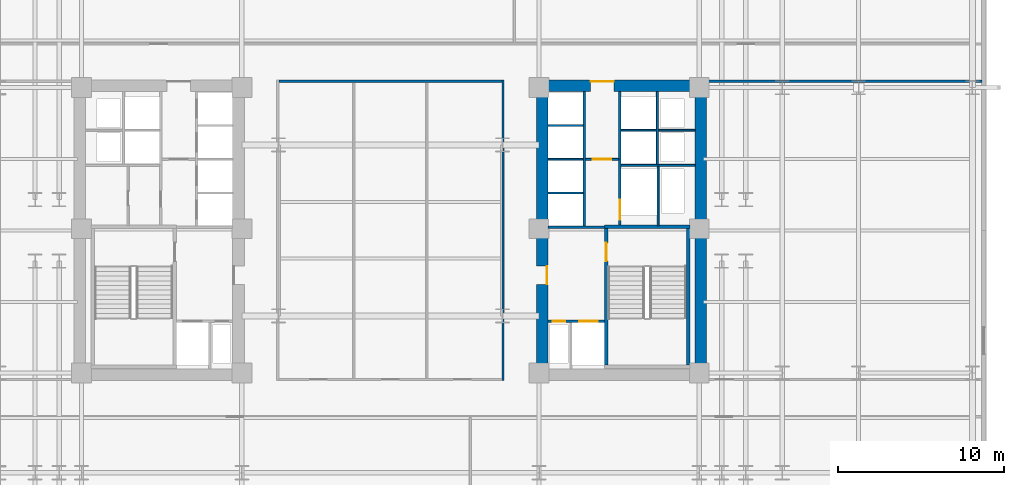
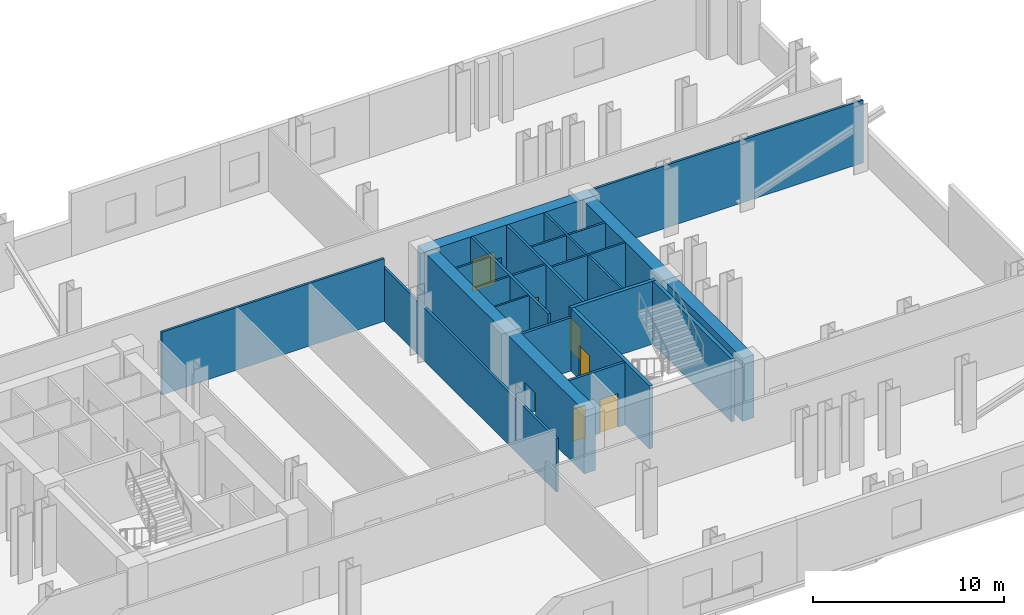
# One storey, part 6 of 9: 22 walls, 7 doors, 7 openings.
"""IFC4 building model written with IfcOpenShell, lengths in metres."""

from ifc_helpers import new_model, si_unit, direction, frame, frame_2d, origin, place, context, subcontext, project, spatial, rectangle, extrude, material, layer, layer_set, type_object, element, fill, save


model = new_model("IFC4")

# Units and contexts
model_context = context("Model", 3, precision=1e-05, world=origin(), true_north=direction((0.0, 1.0)))
body_context = subcontext(model_context, "Body", "Model", "MODEL_VIEW")
ifc_project = project(units=[si_unit("LENGTHUNIT", "METRE"), si_unit("AREAUNIT", "SQUARE_METRE"), si_unit("VOLUMEUNIT", "CUBIC_METRE"), si_unit("PLANEANGLEUNIT", "RADIAN"), si_unit("MASSUNIT", "GRAM", prefix="KILO")], contexts=[model_context])

# Site, building, storey
site_placement = place(None, origin())
site = spatial("IfcSite", under=ifc_project, at=site_placement, CompositionType="ELEMENT")
building_placement = place(site_placement, origin())
building = spatial("IfcBuilding", under=site, at=building_placement, Name="Velakula Bourse", CompositionType="ELEMENT")
storey_placement = place(building_placement, frame((0.0, 0.0, 65.699951171875)))
storey = spatial("IfcBuildingStorey", under=building, at=storey_placement, Name="L17", CompositionType="ELEMENT", Elevation=65.699951171875)

# Wall, opening, door
ifc_material_1 = material(Name="Concrete M50 (fck 50 MPa)", Category="concrete")
ifc_layer_1 = layer(ifc_material_1, 0.2099609375, Name="Concrete M50 (fck 50 MPa)", Category="concrete")
ifc_layer_set_1 = layer_set([ifc_layer_1], Name="Concrete M50 (fck 50 MPa)")
wall_type_1 = type_object("IfcWallType", Name="WL-CORE-210", PredefinedType="SHEAR", material=ifc_layer_set_1)
wall_1_placement = place(storey_placement, frame((12.9951171875, -8.10009765625, 0.0), z_axis=(0.0, 0.0, 1.0), x_axis=(0.0, 1.0, 0.0)))
wall_1 = element("IfcWall", 1, at=wall_1_placement, inside=storey, type_object=wall_type_1, Name="L17 Core E Stairwell Shear Wall IN", PredefinedType="SHEAR", context=body_context, shape_type="SweptSolid", body=[
    extrude(rectangle(XDim=8.2001953125, YDim=0.2099609375, at=frame_2d((4.10009765625, 0.0))), origin(), (0.0, 0.0, 1.0), 4.02001953125),
])
opening_1_placement = place(wall_1_placement, frame((6.25, 0.0, 0.0)))
opening_1 = element("IfcOpeningElement", 2, at=opening_1_placement, cuts=wall_1, Name="Opening D-STE1", PredefinedType="OPENING", context=body_context, shape_type="SweptSolid", body=[
    extrude(rectangle(XDim=1.10009765625, YDim=2.14990234375, at=frame_2d((0.550048828125, 1.074951171875))), frame((0.0, 0.114990234375, 0.0), z_axis=(0.0, -1.0, 0.0), x_axis=(1.0, 0.0, 0.0)), (0.0, 0.0, 1.0), 0.22998046875),
])
ifc_material_2 = material(Name="Galvanised painted hollow steel fire door", Category="steel")
door_type_1 = type_object("IfcDoorType", Name="DR-FD120-1100x2150", OperationType="NOTDEFINED", PredefinedType="DOOR", material=ifc_material_2)
door_1_placement = place(opening_1_placement, origin())
door_1 = element("IfcDoor", 3, at=door_1_placement, inside=storey, type_object=door_type_1, Name="L17 Stair ST-E1 Fire Door", OperationType="SINGLE_SWING_RIGHT", OverallHeight=2.14990234375, OverallWidth=1.10009765625, PredefinedType="DOOR", context=body_context, shape_type="SweptSolid", body=[
    extrude(rectangle(XDim=1.10009765625, YDim=2.14990234375, at=frame_2d((0.550048828125, 1.074951171875))), frame((0.0, 0.02490234375, 0.0), z_axis=(0.0, -1.0, 0.0), x_axis=(1.0, 0.0, 0.0)), (0.0, 0.0, 1.0), 0.050048828125),
])
fill(opening_1, door_1)

# Walls
wall_2_placement = place(storey_placement, frame((17.925048828125, -8.10009765625, 0.0), z_axis=(0.0, 0.0, 1.0), x_axis=(0.0, 1.0, 0.0)))
element("IfcWall", 4, at=wall_2_placement, inside=storey, type_object=wall_type_1, Name="L17 Core E Stairwell Shear Wall OUT", PredefinedType="SHEAR", context=body_context, shape_type="SweptSolid", body=[
    extrude(rectangle(XDim=8.2001953125, YDim=0.2099609375, at=frame_2d((4.10009765625, 0.0))), origin(), (0.0, 0.0, 1.0), 4.02001953125),
])
wall_3_placement = place(storey_placement, frame((18.030029296875, 0.205078125, 0.0), z_axis=(0.0, 0.0, 1.0), x_axis=(-1.0, 0.0, 0.0)))
element("IfcWall", 5, at=wall_3_placement, inside=storey, type_object=wall_type_1, Name="L17 Core E Stairwell Shear Wall N", PredefinedType="SHEAR", context=body_context, shape_type="SweptSolid", body=[
    extrude(rectangle(XDim=5.14013671875, YDim=0.2099609375, at=frame_2d((2.570068359375, 0.0))), origin(), (0.0, 0.0, 1.0), 4.02001953125),
])

# Wall, opening, door
ifc_material_3 = material(Name="Concrete M70 (fck 70 MPa)", Category="concrete")
ifc_layer_2 = layer(ifc_material_3, 0.699951171875, Name="Concrete M70 (fck 70 MPa)", Category="concrete")
ifc_layer_set_2 = layer_set([ifc_layer_2], Name="Concrete M70 (fck 70 MPa)")
wall_type_2 = type_object("IfcWallType", Name="WL-CORE-700", PredefinedType="SHEAR", material=ifc_layer_set_2)
wall_4_placement = place(storey_placement, frame((8.800048828125, 8.699951171875, 0.0), z_axis=(0.0, 0.0, 1.0), x_axis=(1.0, 0.0, 0.0)))
wall_4 = element("IfcWall", 6, at=wall_4_placement, inside=storey, type_object=wall_type_2, Name="L17 Core E Shear Wall N", PredefinedType="SHEAR", context=body_context, shape_type="SweptSolid", body=[
    extrude(rectangle(XDim=10.25, YDim=0.699951171875, at=frame_2d((5.125, 0.0))), origin(), (0.0, 0.0, 1.0), 4.02001953125),
])
opening_2_placement = place(wall_4_placement, frame((3.25, 0.0, 0.0)))
opening_2 = element("IfcOpeningElement", 7, at=opening_2_placement, cuts=wall_4, Name="Opening D-LLE", PredefinedType="OPENING", context=body_context, shape_type="SweptSolid", body=[
    extrude(rectangle(XDim=1.39990234375, YDim=2.050048828125, at=frame_2d((0.699951171875, 1.02490234375))), frame((0.0, 0.35986328125, 0.0), z_axis=(0.0, -1.0, 0.0), x_axis=(1.0, 0.0, 0.0)), (0.0, 0.0, 1.0), 0.719970703125),
])
ifc_material_4 = material(Name="Fire-rated hardwood flush architectural door", Category="wood")
door_type_2 = type_object("IfcDoorType", Name="DR-DBL-FD60-1400", OperationType="DOUBLE_DOOR_SINGLE_SWING", PredefinedType="DOOR", material=ifc_material_4)
door_2_placement = place(opening_2_placement, origin())
door_2 = element("IfcDoor", 8, at=door_2_placement, inside=storey, type_object=door_type_2, Name="L17 Core E Lift Lobby Corridor Double Door", OperationType="DOUBLE_DOOR_SINGLE_SWING", OverallHeight=2.050048828125, OverallWidth=1.39990234375, PredefinedType="DOOR", context=body_context, shape_type="SweptSolid", body=[
    extrude(rectangle(XDim=1.39990234375, YDim=2.050048828125, at=frame_2d((0.699951171875, 1.02490234375))), frame((0.0, 0.294921875, 0.0), z_axis=(0.0, -1.0, 0.0), x_axis=(1.0, 0.0, 0.0)), (0.0, 0.0, 1.0), 0.050048828125),
])
fill(opening_2, door_2)

wall_5_placement = place(storey_placement, frame((9.14990234375, -8.35009765625, 0.0), z_axis=(0.0, 0.0, 1.0), x_axis=(0.0, 1.0, 0.0)))
wall_5 = element("IfcWall", 9, at=wall_5_placement, inside=storey, type_object=wall_type_2, Name="L17 Core E Shear Wall W", PredefinedType="SHEAR", context=body_context, shape_type="SweptSolid", body=[
    extrude(rectangle(XDim=16.7001953125, YDim=0.699951171875, at=frame_2d((8.35009765625, 0.0))), origin(), (0.0, 0.0, 1.0), 4.02001953125),
])
opening_3_placement = place(wall_5_placement, frame((5.10009765625, 0.0, 0.0)))
opening_3 = element("IfcOpeningElement", 10, at=opening_3_placement, cuts=wall_5, Name="Opening D-FLE", PredefinedType="OPENING", context=body_context, shape_type="SweptSolid", body=[
    extrude(rectangle(XDim=1.10009765625, YDim=2.080078125, at=frame_2d((0.550048828125, 1.0400390625))), frame((0.0, 0.35986328125, 0.0), z_axis=(0.0, -1.0, 0.0), x_axis=(1.0, 0.0, 0.0)), (0.0, 0.0, 1.0), 0.719970703125),
])
door_type_3 = type_object("IfcDoorType", Name="DR-FD120-1100", OperationType="NOTDEFINED", PredefinedType="DOOR", material=ifc_material_2)
door_3_placement = place(opening_3_placement, origin())
door_3 = element("IfcDoor", 11, at=door_3_placement, inside=storey, type_object=door_type_3, Name="L17 Firefighting Lobby E Corridor Fire Door", OperationType="SINGLE_SWING_RIGHT", OverallHeight=2.080078125, OverallWidth=1.10009765625, PredefinedType="DOOR", context=body_context, shape_type="SweptSolid", body=[
    extrude(rectangle(XDim=1.10009765625, YDim=2.080078125, at=frame_2d((0.550048828125, 1.0400390625))), frame((0.0, -0.2548828125, 0.0), z_axis=(0.0, -1.0, 0.0), x_axis=(1.0, 0.0, 0.0)), (0.0, 0.0, 1.0), 0.050048828125),
])
fill(opening_3, door_3)

# Wall
wall_6_placement = place(storey_placement, frame((18.699951171875, -8.35009765625, 0.0), z_axis=(0.0, 0.0, 1.0), x_axis=(0.0, 1.0, 0.0)))
element("IfcWall", 12, at=wall_6_placement, inside=storey, type_object=wall_type_2, Name="L17 Core E Shear Wall E", PredefinedType="SHEAR", context=body_context, shape_type="SweptSolid", body=[
    extrude(rectangle(XDim=16.7001953125, YDim=0.699951171875, at=frame_2d((8.35009765625, 0.0))), origin(), (0.0, 0.0, 1.0), 4.02001953125),
])

# Wall, opening, door
ifc_material_5 = material(Name="Fire-rated double-layer gypsum drywall partition", Category="gypsum")
ifc_layer_3 = layer(ifc_material_5, 0.1201171875, Name="Fire-rated double-layer gypsum drywall partition", Category="gypsum")
ifc_layer_set_3 = layer_set([ifc_layer_3], Name="Fire-rated double-layer gypsum drywall partition")
wall_type_3 = type_object("IfcWallType", Name="WL-PART-120", PredefinedType="STANDARD", material=ifc_layer_set_3)
wall_7_placement = place(storey_placement, frame((11.75, 4.280029296875, 0.0), z_axis=(0.0, 0.0, 1.0), x_axis=(1.0, 0.0, 0.0)))
wall_7 = element("IfcWall", 13, at=wall_7_placement, inside=storey, type_object=wall_type_3, Name="L17 Interior Partition WL-CRE-L17-LL-K2", PredefinedType="STANDARD", context=body_context, shape_type="SweptSolid", body=[
    extrude(rectangle(XDim=2.0, YDim=0.1201171875, at=frame_2d((1.0, 0.0))), origin(), (0.0, 0.0, 1.0), 4.0),
])
opening_4_placement = place(wall_7_placement, frame((0.449951171875, 0.0, 0.0)))
opening_4 = element("IfcOpeningElement", 14, at=opening_4_placement, cuts=wall_7, Name="Opening D-LK2", PredefinedType="OPENING", context=body_context, shape_type="SweptSolid", body=[
    extrude(rectangle(XDim=1.10009765625, YDim=2.10009765625, at=frame_2d((0.550048828125, 1.050048828125))), frame((0.0, 0.070068359375, 0.0), z_axis=(0.0, -1.0, 0.0), x_axis=(1.0, 0.0, 0.0)), (0.0, 0.0, 1.0), 0.14013671875),
])
door_type_4 = type_object("IfcDoorType", Name="DR-FD60-1100x2100", OperationType="NOTDEFINED", PredefinedType="DOOR", material=ifc_material_4)
door_4_placement = place(opening_4_placement, origin())
door_4 = element("IfcDoor", 15, at=door_4_placement, inside=storey, type_object=door_type_4, Name="L17 Core E Lift Lobby Zone Door", OperationType="SINGLE_SWING_LEFT", OverallHeight=2.10009765625, OverallWidth=1.10009765625, PredefinedType="DOOR", context=body_context, shape_type="SweptSolid", body=[
    extrude(rectangle(XDim=1.10009765625, YDim=2.10009765625, at=frame_2d((0.550048828125, 1.050048828125))), frame((0.0, 0.02490234375, 0.0), z_axis=(0.0, -1.0, 0.0), x_axis=(1.0, 0.0, 0.0)), (0.0, 0.0, 1.0), 0.050048828125),
])
fill(opening_4, door_4)

# Walls
for number, where, z_axis, x_axis, name in (
    (16, (9.5, 2.2548828125, 0.0), (0.0, 0.0, 1.0), (1.0, 0.0, 0.0), "L17 Interior Partition WL-CRE-L17-BDIV-0"),
    (17, (9.5, 4.284912109375, 0.0), (0.0, 0.0, 1.0), (1.0, 0.0, 0.0), "L17 Interior Partition WL-CRE-L17-BDIV-1"),
    (18, (9.5, 6.31494140625, 0.0), (0.0, 0.0, 1.0), (1.0, 0.0, 0.0), "L17 Interior Partition WL-CRE-L17-BDIV-2"),
):
    element("IfcWall", number, at=place(storey_placement, frame(where, z_axis=z_axis, x_axis=x_axis)), inside=storey, type_object=wall_type_3, Name=name, PredefinedType="STANDARD", context=body_context, shape_type="SweptSolid", body=[
        extrude(rectangle(XDim=2.10009765625, YDim=0.110107421875, at=frame_2d((1.050048828125, 0.0))), origin(), (0.0, 0.0, 1.0), 4.0),
    ])
wall_8_placement = place(storey_placement, frame((13.89990234375, 3.919921875, 0.0), z_axis=(0.0, 0.0, 1.0), x_axis=(1.0, 0.0, 0.0)))
element("IfcWall", 19, at=wall_8_placement, inside=storey, type_object=wall_type_3, Name="L17 Interior Partition WL-CRE-L17-HI-S", PredefinedType="STANDARD", context=body_context, shape_type="SweptSolid", body=[
    extrude(rectangle(XDim=4.4501953125, YDim=0.1201171875, at=frame_2d((2.22509765625, 0.0))), origin(), (0.0, 0.0, 1.0), 4.0),
])
wall_9_placement = place(storey_placement, frame((16.14990234375, 6.030029296875, 0.0), z_axis=(0.0, 0.0, 1.0), x_axis=(1.0, 0.0, 0.0)))
element("IfcWall", 20, at=wall_9_placement, inside=storey, type_object=wall_type_3, Name="L17 Interior Partition WL-CRE-L17-RIS-MID", PredefinedType="STANDARD", context=body_context, shape_type="SweptSolid", body=[
    extrude(rectangle(XDim=2.2001953125, YDim=0.1201171875, at=frame_2d((1.10009765625, 0.0))), origin(), (0.0, 0.0, 1.0), 4.0),
])
wall_10_placement = place(storey_placement, frame((16.074951171875, 3.97998046875, 0.0), z_axis=(0.0, 0.0, 1.0), x_axis=(0.0, 1.0, 0.0)))
element("IfcWall", 21, at=wall_10_placement, inside=storey, type_object=wall_type_3, Name="L17 Interior Partition WL-CRE-L17-RIS-F", PredefinedType="STANDARD", context=body_context, shape_type="SweptSolid", body=[
    extrude(rectangle(XDim=4.3701171875, YDim=0.1201171875, at=frame_2d((2.18505859375, 0.0))), origin(), (0.0, 0.0, 1.0), 4.0),
])
wall_11_placement = place(storey_placement, frame((13.89990234375, 6.030029296875, 0.0), z_axis=(0.0, 0.0, 1.0), x_axis=(1.0, 0.0, 0.0)))
element("IfcWall", 22, at=wall_11_placement, inside=storey, type_object=wall_type_3, Name="L17 Interior Partition WL-CRE-L17-HI-DIV", PredefinedType="STANDARD", context=body_context, shape_type="SweptSolid", body=[
    extrude(rectangle(XDim=2.10009765625, YDim=0.1201171875, at=frame_2d((1.050048828125, 0.0))), origin(), (0.0, 0.0, 1.0), 4.0),
])
wall_12_placement = place(storey_placement, frame((16.125, 0.27001953125, 0.0), z_axis=(0.0, 0.0, 1.0), x_axis=(0.0, 1.0, 0.0)))
element("IfcWall", 23, at=wall_12_placement, inside=storey, type_object=wall_type_3, Name="L17 Interior Partition WL-CRE-L17-SVL-E", PredefinedType="STANDARD", context=body_context, shape_type="SweptSolid", body=[
    extrude(rectangle(XDim=3.590087890625, YDim=0.1201171875, at=frame_2d((1.794921875, 0.0))), origin(), (0.0, 0.0, 1.0), 4.0),
])
ifc_layer_4 = layer(ifc_material_5, 0.139892578125, Name="Fire-rated double-layer gypsum drywall partition", Category="gypsum")
ifc_layer_set_4 = layer_set([ifc_layer_4], Name="Fire-rated double-layer gypsum drywall partition")
wall_type_4 = type_object("IfcWallType", Name="WL-PART-140", PredefinedType="STANDARD", material=ifc_layer_set_4)
wall_13_placement = place(storey_placement, frame((19.050048828125, 8.97998046875, 0.0), z_axis=(0.0, 0.0, 1.0), x_axis=(1.0, 0.0, 0.0)))
element("IfcWall", 24, at=wall_13_placement, inside=storey, type_object=wall_type_4, Name="L17 Interior Partition WL-INT-L17-E-NC", PredefinedType="STANDARD", context=body_context, shape_type="SweptSolid", body=[
    extrude(rectangle(XDim=16.570068359375, YDim=0.139892578125, at=frame_2d((8.28515625, 0.0))), origin(), (0.0, 0.0, 1.0), 4.0),
])
wall_14_placement = place(storey_placement, frame((6.780029296875, -9.050048828125, 0.0), z_axis=(0.0, 0.0, 1.0), x_axis=(0.0, 1.0, 0.0)))
element("IfcWall", 25, at=wall_14_placement, inside=storey, type_object=wall_type_4, Name="L17 Interior Partition WL-INT-L17-MID-E", PredefinedType="STANDARD", context=body_context, shape_type="SweptSolid", body=[
    extrude(rectangle(XDim=18.10009765625, YDim=0.139892578125, at=frame_2d((9.050048828125, 0.0))), origin(), (0.0, 0.0, 1.0), 3.39501953125),
])
wall_15_placement = place(storey_placement, frame((-6.7099609375, 8.97998046875, 0.0), z_axis=(0.0, 0.0, 1.0), x_axis=(1.0, 0.0, 0.0)))
element("IfcWall", 26, at=wall_15_placement, inside=storey, type_object=wall_type_4, Name="L17 Interior Partition WL-INT-L17-MID-N", PredefinedType="STANDARD", context=body_context, shape_type="SweptSolid", body=[
    extrude(rectangle(XDim=13.419921875, YDim=0.139892578125, at=frame_2d((6.7099609375, 0.0))), origin(), (0.0, 0.0, 1.0), 4.0),
])

# Wall, openings, doors
ifc_material_6 = material(Name="Autoclaved aerated concrete blockwork masonry", Category="masonry")
ifc_layer_5 = layer(ifc_material_6, 0.14990234375, Name="Autoclaved aerated concrete blockwork masonry", Category="masonry")
ifc_layer_set_5 = layer_set([ifc_layer_5], Name="Autoclaved aerated concrete blockwork masonry")
wall_type_5 = type_object("IfcWallType", Name="WL-SHAFT-150", PredefinedType="STANDARD", material=ifc_layer_set_5)
wall_16_placement = place(storey_placement, frame((9.5, -5.47509765625, 0.0), z_axis=(0.0, 0.0, 1.0), x_axis=(1.0, 0.0, 0.0)))
wall_16 = element("IfcWall", 27, at=wall_16_placement, inside=storey, type_object=wall_type_5, Name="L17 Interior Partition WL-CRE-L17-FFL-N", PredefinedType="STANDARD", context=body_context, shape_type="SweptSolid", body=[
    extrude(rectangle(XDim=3.39501953125, YDim=0.14990234375, at=frame_2d((1.697509765625, 0.0))), origin(), (0.0, 0.0, 1.0), 4.0),
])
opening_5_placement = place(wall_16_placement, frame((1.875, 0.0, 0.0)))
opening_5 = element("IfcOpeningElement", 28, at=opening_5_placement, cuts=wall_16, Name="Opening LD-FFL-2", PredefinedType="OPENING", context=body_context, shape_type="SweptSolid", body=[
    extrude(rectangle(XDim=1.10009765625, YDim=2.14990234375, at=frame_2d((0.550048828125, 1.074951171875))), frame((0.0, 0.0849609375, 0.0), z_axis=(0.0, -1.0, 0.0), x_axis=(1.0, 0.0, 0.0)), (0.0, 0.0, 1.0), 0.169921875),
])
opening_6_placement = place(wall_16_placement, frame((0.27490234375, 0.0, 0.0)))
opening_6 = element("IfcOpeningElement", 29, at=opening_6_placement, cuts=wall_16, Name="Opening D-RS1", PredefinedType="OPENING", context=body_context, shape_type="SweptSolid", body=[
    extrude(rectangle(XDim=0.75, YDim=2.050048828125, at=frame_2d((0.375, 1.02490234375))), frame((0.0, 0.0849609375, 0.0), z_axis=(0.0, -1.0, 0.0), x_axis=(1.0, 0.0, 0.0)), (0.0, 0.0, 1.0), 0.169921875),
])
door_type_5 = type_object("IfcDoorType", Name="DR-RISER-800", OperationType="NOTDEFINED", PredefinedType="DOOR", material=ifc_material_2)
door_5_placement = place(opening_6_placement, origin())
door_5 = element("IfcDoor", 30, at=door_5_placement, inside=storey, type_object=door_type_5, Name="L17 Fire Riser Access Door", OperationType="SINGLE_SWING_LEFT", OverallHeight=2.050048828125, OverallWidth=0.75, PredefinedType="DOOR", context=body_context, shape_type="SweptSolid", body=[
    extrude(rectangle(XDim=0.75, YDim=2.050048828125, at=frame_2d((0.375, 1.02490234375))), frame((0.0, 0.02490234375, 0.0), z_axis=(0.0, -1.0, 0.0), x_axis=(1.0, 0.0, 0.0)), (0.0, 0.0, 1.0), 0.050048828125),
])
fill(opening_6, door_5)
ifc_material_7 = material(Name="Brushed grade 316 stainless steel", Category="steel")
door_type_6 = type_object("IfcDoorType", Name="DR-SLIDE-FFL-1100", OperationType="DOUBLE_DOOR_SLIDING", PredefinedType="DOOR", material=ifc_material_7)
door_6_placement = place(opening_5_placement, origin())
door_6 = element("IfcDoor", 31, at=door_6_placement, inside=storey, type_object=door_type_6, Name="L17 Firefighting Lift FFL-2 Sliding Landing Door", OperationType="DOUBLE_DOOR_SLIDING", OverallHeight=2.14990234375, OverallWidth=1.10009765625, PredefinedType="DOOR", context=body_context, shape_type="SweptSolid", body=[
    extrude(rectangle(XDim=1.10009765625, YDim=2.14990234375, at=frame_2d((0.550048828125, 1.074951171875))), frame((0.0, 0.02490234375, 0.0), z_axis=(0.0, -1.0, 0.0), x_axis=(1.0, 0.0, 0.0)), (0.0, 0.0, 1.0), 0.050048828125),
])
fill(opening_5, door_6)

# Walls
wall_17_placement = place(storey_placement, frame((9.5, 0.18994140625, 0.0), z_axis=(0.0, 0.0, 1.0), x_axis=(1.0, 0.0, 0.0)))
element("IfcWall", 32, at=wall_17_placement, inside=storey, type_object=wall_type_5, Name="L17 Interior Partition WL-CRE-L17-FF-TOP", PredefinedType="STANDARD", context=body_context, shape_type="SweptSolid", body=[
    extrude(rectangle(XDim=3.389892578125, YDim=0.14990234375, at=frame_2d((1.69482421875, 0.0))), origin(), (0.0, 0.0, 1.0), 3.39501953125),
])
wall_18_placement = place(storey_placement, frame((11.675048828125, 0.27001953125, 0.0), z_axis=(0.0, 0.0, 1.0), x_axis=(0.0, 1.0, 0.0)))
element("IfcWall", 33, at=wall_18_placement, inside=storey, type_object=wall_type_5, Name="L17 Interior Partition WL-CRE-L17-BANK-F", PredefinedType="STANDARD", context=body_context, shape_type="SweptSolid", body=[
    extrude(rectangle(XDim=8.080078125, YDim=0.14990234375, at=frame_2d((4.0400390625, 0.0))), origin(), (0.0, 0.0, 1.0), 4.0),
])

# Wall, opening, door
wall_19_placement = place(storey_placement, frame((13.824951171875, 0.27001953125, 0.0), z_axis=(0.0, 0.0, 1.0), x_axis=(0.0, 1.0, 0.0)))
wall_19 = element("IfcWall", 34, at=wall_19_placement, inside=storey, type_object=wall_type_5, Name="L17 Interior Partition WL-CRE-L17-OUT-F", PredefinedType="STANDARD", context=body_context, shape_type="SweptSolid", body=[
    extrude(rectangle(XDim=8.080078125, YDim=0.14990234375, at=frame_2d((4.0400390625, 0.0))), origin(), (0.0, 0.0, 1.0), 4.0),
])
opening_7_placement = place(wall_19_placement, frame((0.3798828125, 0.0, 0.0)))
opening_7 = element("IfcOpeningElement", 35, at=opening_7_placement, cuts=wall_19, Name="Opening LD-SVL1", PredefinedType="OPENING", context=body_context, shape_type="SweptSolid", body=[
    extrude(rectangle(XDim=1.199951171875, YDim=2.10009765625, at=frame_2d((0.60009765625, 1.050048828125))), frame((0.0, 0.0849609375, 0.0), z_axis=(0.0, -1.0, 0.0), x_axis=(1.0, 0.0, 0.0)), (0.0, 0.0, 1.0), 0.169921875),
])
door_type_7 = type_object("IfcDoorType", Name="DR-SLIDE-LD-1200", OperationType="DOUBLE_DOOR_SLIDING", PredefinedType="DOOR", material=ifc_material_7)
door_7_placement = place(opening_7_placement, origin())
door_7 = element("IfcDoor", 36, at=door_7_placement, inside=storey, type_object=door_type_7, Name="L17 Service Lift SVL-1 Sliding Landing Door", OperationType="DOUBLE_DOOR_SLIDING", OverallHeight=2.10009765625, OverallWidth=1.199951171875, PredefinedType="DOOR", context=body_context, shape_type="SweptSolid", body=[
    extrude(rectangle(XDim=1.199951171875, YDim=2.10009765625, at=frame_2d((0.60009765625, 1.050048828125))), frame((0.0, 0.02490234375, 0.0), z_axis=(0.0, -1.0, 0.0), x_axis=(1.0, 0.0, 0.0)), (0.0, 0.0, 1.0), 0.050048828125),
])
fill(opening_7, door_7)

save(model, "model.ifc")
